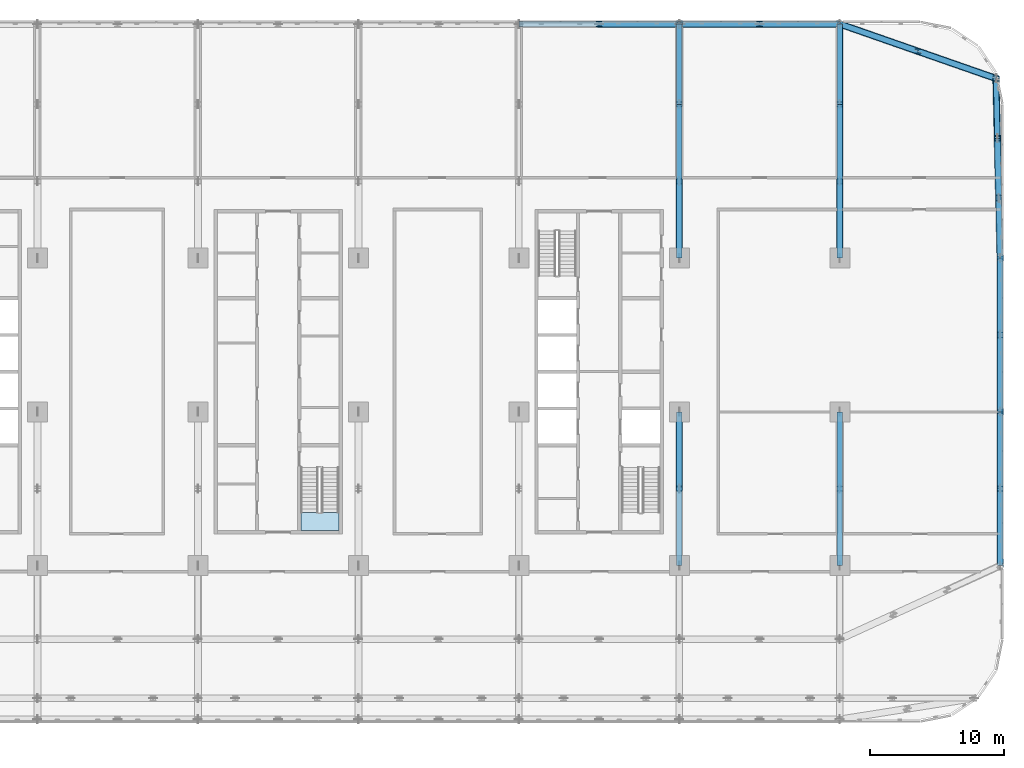
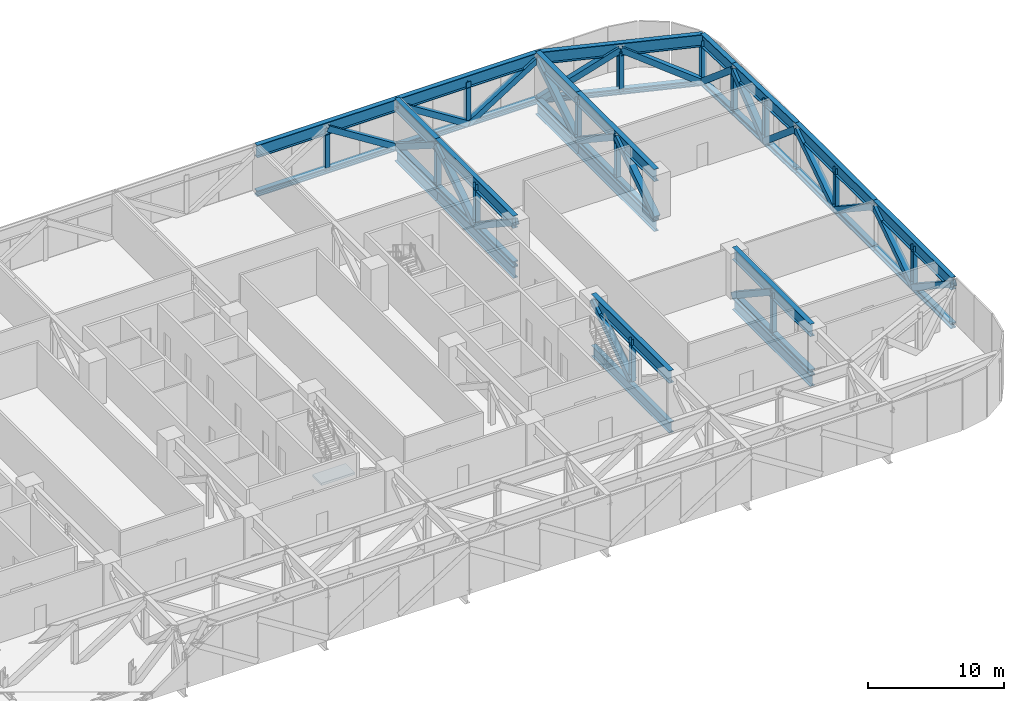
# One storey, part 8 of 26: 60 members, 6 beams, 1 slab, 1 element without a shape of its own.
"""IFC4 building model written with IfcOpenShell, lengths in metres."""

from ifc_helpers import new_model, si_unit, direction, frame, origin, origin_2d, place, context, subcontext, project, spatial, polyline, hollow_rectangle, i_section, outline, extrude, material, layer, layer_set, material_profile, profile_set, type_object, element, aggregate, save


model = new_model("IFC4")

# Units and contexts
model_context = context("Model", 3, precision=1e-05, world=origin(), true_north=direction((0.0, 1.0)))
body_context = subcontext(model_context, "Body", "Model", "MODEL_VIEW")
ifc_project = project(units=[si_unit("LENGTHUNIT", "METRE"), si_unit("AREAUNIT", "SQUARE_METRE"), si_unit("VOLUMEUNIT", "CUBIC_METRE"), si_unit("PLANEANGLEUNIT", "RADIAN"), si_unit("MASSUNIT", "GRAM", prefix="KILO")], contexts=[model_context])

# Site, building, storey
site_placement = place(None, origin())
site = spatial("IfcSite", under=ifc_project, at=site_placement, CompositionType="ELEMENT")
building_placement = place(site_placement, origin())
building = spatial("IfcBuilding", under=site, at=building_placement, Name="Mahtab Terrace Research Tower", CompositionType="ELEMENT")
storey_placement = place(building_placement, frame((0.0, 0.0, 80.39990234375)))
storey = spatial("IfcBuildingStorey", under=building, at=storey_placement, Name="L18", CompositionType="ELEMENT", Elevation=80.39990234375)

# Members
ifc_material_1 = material(Name="Steel ASTM A500 Gr C", Category="steel")
ifc_material_profile_1 = material_profile(ifc_material_1, hollow_rectangle(XDim=0.508056640625, YDim=0.508056640625, WallThickness=0.01904296875, at=origin_2d()), Name="HSS20X20X3/4")
ifc_profile_set_1 = profile_set([ifc_material_profile_1], Name="Steel ASTM A500 Gr C")
member_type_1 = type_object("IfcMemberType", Name="HSS 20x20x3/4 brace TD202034", PredefinedType="BRACE", material=ifc_profile_set_1)
for number, where, z_axis, x_axis, name in (
    (1, (30.0, -5.75, -0.29345703125), (0.0, 0.834630911502, 0.550809623704), (-1.0, 0.0, 0.0), "Transfer truss T2 diagonal 107"),
    (2, (30.0, 17.25, -0.29345703125), (0.0, -0.834630911502, 0.550809623704), (1.0, 0.0, 0.0), "Transfer truss T2 diagonal 108"),
    (3, (30.0, 17.25, -0.29345703125), (0.0, 0.834630911502, 0.550809623704), (-1.0, 0.0, 0.0), "Transfer truss T2 diagonal 109"),
):
    element("IfcMember", number, at=place(storey_placement, frame(where, z_axis=z_axis, x_axis=x_axis)), inside=storey, type_object=member_type_1, Name=name, PredefinedType="BRACE", context=body_context, shape_type="SweptSolid", body=[
        extrude(hollow_rectangle(XDim=0.508056640625, YDim=0.508056640625, WallThickness=0.01904296875, at=origin_2d()), origin(), (0.0, 0.0, 1.0), 6.88916015625),
    ])
for number, where, z_axis, x_axis, name in (
    (4, (30.0, 29.0, -0.29345703125), (0.0, -0.845157783708, 0.534516903978), (1.0, 0.0, 0.0), "Transfer truss T2 diagonal 110"),
    (5, (30.0, 29.0, -0.29345703125), (-0.845157783708, 0.0, 0.534516903978), (0.0, -1.0, 0.0), "Transfer truss T2 diagonal 111"),
    (6, (36.0, 29.0, -0.29345703125), (-0.845157783708, 0.0, 0.534516903978), (0.0, -1.0, 0.0), "Transfer truss T2 diagonal 115"),
):
    element("IfcMember", number, at=place(storey_placement, frame(where, z_axis=z_axis, x_axis=x_axis)), inside=storey, type_object=member_type_1, Name=name, PredefinedType="BRACE", context=body_context, shape_type="SweptSolid", body=[
        extrude(hollow_rectangle(XDim=0.508056640625, YDim=0.508056640625, WallThickness=0.01904296875, at=origin_2d()), origin(), (0.0, 0.0, 1.0), 7.099365234375),
    ])
for number, where, z_axis, x_axis, name in (
    (7, (42.0, 0.0, -0.29345703125), (0.0, -0.834630911502, 0.550809623704), (1.0, 0.0, 0.0), "Transfer truss T2 diagonal 124"),
    (8, (42.0, 11.5, -0.29345703125), (0.0, 0.834630911502, 0.550809623704), (-1.0, 0.0, 0.0), "Transfer truss T2 diagonal 125"),
    (9, (42.0, 23.0, -0.29345703125), (0.0, -0.834630911502, 0.550809623704), (1.0, 0.0, 0.0), "Transfer truss T2 diagonal 126"),
):
    element("IfcMember", number, at=place(storey_placement, frame(where, z_axis=z_axis, x_axis=x_axis)), inside=storey, type_object=member_type_1, Name=name, PredefinedType="BRACE", context=body_context, shape_type="SweptSolid", body=[
        extrude(hollow_rectangle(XDim=0.508056640625, YDim=0.508056640625, WallThickness=0.01904296875, at=origin_2d()), origin(), (0.0, 0.0, 1.0), 6.88916015625),
    ])
for number, where, z_axis, x_axis, name in (
    (10, (42.0, 23.0, -0.29345703125), (0.0, 0.845157783708, 0.534516903978), (-1.0, 0.0, 0.0), "Transfer truss T2 diagonal 127"),
    (11, (36.0, 29.0, -0.29345703125), (0.845157783708, 0.0, 0.534516903978), (0.0, 1.0, 0.0), "Transfer truss T2 diagonal 128"),
):
    element("IfcMember", number, at=place(storey_placement, frame(where, z_axis=z_axis, x_axis=x_axis)), inside=storey, type_object=member_type_1, Name=name, PredefinedType="BRACE", context=body_context, shape_type="SweptSolid", body=[
        extrude(hollow_rectangle(XDim=0.508056640625, YDim=0.508056640625, WallThickness=0.01904296875, at=origin_2d()), origin(), (0.0, 0.0, 1.0), 7.099365234375),
    ])
member_1_placement = place(storey_placement, frame((42.0, 29.0, -0.29345703125), z_axis=(0.804861112796, -0.280700569495, 0.522882185003), x_axis=(0.329304241229, 0.944223870016, 0.0)))
element("IfcMember", 12, at=member_1_placement, inside=storey, type_object=member_type_1, Name="Transfer truss T2 diagonal 132", PredefinedType="BRACE", context=body_context, shape_type="SweptSolid", body=[
    extrude(hollow_rectangle(XDim=0.508056640625, YDim=0.508056640625, WallThickness=0.01904296875, at=origin_2d()), origin(), (0.0, 0.0, 1.0), 7.25732421875),
])
member_2_placement = place(storey_placement, frame((53.681884765625, 24.927001953125, -0.29345703125), z_axis=(-0.804887258521, 0.280553203846, 0.522921027386), x_axis=(-0.329140559735, -0.944280939094, 0.0)))
element("IfcMember", 13, at=member_2_placement, inside=storey, type_object=member_type_1, Name="Transfer truss T2 diagonal 135", PredefinedType="BRACE", context=body_context, shape_type="SweptSolid", body=[
    extrude(hollow_rectangle(XDim=0.508056640625, YDim=0.508056640625, WallThickness=0.01904296875, at=origin_2d()), origin(), (0.0, 0.0, 1.0), 7.256591796875),
])
member_3_placement = place(storey_placement, frame((53.681884765625, 24.927001953125, -0.29345703125), z_axis=(0.018095029325, -0.762653488821, 0.646554116763), x_axis=(0.999718647519, 0.023719734464, 0.0)))
element("IfcMember", 14, at=member_3_placement, inside=storey, type_object=member_type_1, Name="Transfer truss T2 diagonal 136", PredefinedType="BRACE", context=body_context, shape_type="SweptSolid", body=[
    extrude(hollow_rectangle(XDim=0.508056640625, YDim=0.508056640625, WallThickness=0.01904296875, at=origin_2d()), origin(), (0.0, 0.0, 1.0), 5.869140625),
])
member_4_placement = place(storey_placement, frame((53.89404296875, 15.97607421875, -0.29345703125), z_axis=(-0.018056309124, 0.762567027489, 0.646657172146), x_axis=(-0.999719786311, -0.023671688977, 0.0)))
element("IfcMember", 15, at=member_4_placement, inside=storey, type_object=member_type_1, Name="Transfer truss T2 diagonal 137", PredefinedType="BRACE", context=body_context, shape_type="SweptSolid", body=[
    extrude(hollow_rectangle(XDim=0.508056640625, YDim=0.508056640625, WallThickness=0.01904296875, at=origin_2d()), origin(), (0.0, 0.0, 1.0), 5.8681640625),
])
for number, where, z_axis, x_axis, name in (
    (16, (54.0, -5.75, -0.29345703125), (0.0, -0.834630911502, 0.550809623704), (1.0, 0.0, 0.0), "Transfer truss T2 diagonal 138"),
    (17, (54.0, -5.75, -0.29345703125), (0.0, 0.834630911502, 0.550809623704), (-1.0, 0.0, 0.0), "Transfer truss T2 diagonal 139"),
    (18, (54.0, 5.75, -0.29345703125), (0.0, -0.834630911502, 0.550809623704), (1.0, 0.0, 0.0), "Transfer truss T2 diagonal 140"),
    (19, (54.0, 5.75, -0.29345703125), (0.0, 0.834630911502, 0.550809623704), (-1.0, 0.0, 0.0), "Transfer truss T2 diagonal 141"),
):
    element("IfcMember", number, at=place(storey_placement, frame(where, z_axis=z_axis, x_axis=x_axis)), inside=storey, type_object=member_type_1, Name=name, PredefinedType="BRACE", context=body_context, shape_type="SweptSolid", body=[
        extrude(hollow_rectangle(XDim=0.508056640625, YDim=0.508056640625, WallThickness=0.01904296875, at=origin_2d()), origin(), (0.0, 0.0, 1.0), 6.88916015625),
    ])
member_5_placement = place(storey_placement, frame((53.89404296875, 15.97607421875, -0.29345703125), z_axis=(0.018053445129, -0.76265406222, 0.646554602874), x_axis=(0.999719939064, 0.023665236912, 0.0)))
element("IfcMember", 20, at=member_5_placement, inside=storey, type_object=member_type_1, Name="Transfer truss T2 diagonal 142", PredefinedType="BRACE", context=body_context, shape_type="SweptSolid", body=[
    extrude(hollow_rectangle(XDim=0.508056640625, YDim=0.508056640625, WallThickness=0.01904296875, at=origin_2d()), origin(), (0.0, 0.0, 1.0), 5.869140625),
])
ifc_material_2 = material(Name="Steel ASTM A992 Gr 50", Category="steel")
ifc_material_profile_2 = material_profile(ifc_material_2, i_section(OverallWidth=0.398681640625, OverallDepth=0.393798828125, WebThickness=0.022705078125, FlangeThickness=0.03662109375, at=origin_2d()), Name="W14X193")
ifc_profile_set_2 = profile_set([ifc_material_profile_2], Name="Steel ASTM A992 Gr 50")
member_type_2 = type_object("IfcMemberType", Name="W14x193 post TP14193", PredefinedType="POST", material=ifc_profile_set_2)
for number, where, z_axis, x_axis, name in (
    (21, (24.0, 29.0, -0.29345703125), (0.0, 0.0, 1.0), (1.0, 0.0, 0.0), "Transfer truss T2 post 088"),
    (22, (30.0, -5.75, -0.29345703125), (0.0, 0.0, 1.0), (1.0, 0.0, 0.0), "Transfer truss T2 post 094"),
    (23, (30.0, 17.25, -0.29345703125), (0.0, 0.0, 1.0), (1.0, 0.0, 0.0), "Transfer truss T2 post 097"),
    (24, (30.0, 23.0, -0.29345703125), (0.0, 0.0, 1.0), (1.0, 0.0, 0.0), "Transfer truss T2 post 098"),
    (25, (36.0, 29.0, -0.29345703125), (0.0, 0.0, 1.0), (1.0, 0.0, 0.0), "Transfer truss T2 post 103"),
    (26, (42.0, -5.75, -0.29345703125), (0.0, 0.0, 1.0), (1.0, 0.0, 0.0), "Transfer truss T2 post 109"),
    (27, (42.0, 17.25, -0.29345703125), (0.0, 0.0, 1.0), (1.0, 0.0, 0.0), "Transfer truss T2 post 112"),
    (28, (42.0, 23.0, -0.29345703125), (0.0, 0.0, 1.0), (1.0, 0.0, 0.0), "Transfer truss T2 post 113"),
    (29, (47.840087890625, 26.9599609375, -0.29345703125), (0.0, 0.0, 1.0), (1.0, 0.0, 0.0), "Transfer truss T2 post 118"),
    (30, (53.679931640625, 24.929931640625, -0.29345703125), (0.0, 0.0, 1.0), (1.0, 0.0, 0.0), "Transfer truss T2 post 121"),
    (31, (53.7900390625, 20.449951171875, -0.29345703125), (0.0, 0.0, 1.0), (1.0, 0.0, 0.0), "Transfer truss T2 post 122"),
    (32, (53.889892578125, 15.97998046875, -0.29345703125), (0.0, 0.0, 1.0), (1.0, 0.0, 0.0), "Transfer truss T2 post 123"),
    (33, (54.0, -5.75, -0.29345703125), (0.0, 0.0, 1.0), (1.0, 0.0, 0.0), "Transfer truss T2 post 125"),
    (34, (54.0, 5.75, -0.29345703125), (0.0, 0.0, 1.0), (1.0, 0.0, 0.0), "Transfer truss T2 post 127"),
):
    element("IfcMember", number, at=place(storey_placement, frame(where, z_axis=z_axis, x_axis=x_axis)), inside=storey, type_object=member_type_2, Name=name, PredefinedType="POST", context=body_context, shape_type="SweptSolid", body=[
        extrude(i_section(OverallWidth=0.398681640625, OverallDepth=0.393798828125, WebThickness=0.022705078125, FlangeThickness=0.03662109375, at=origin_2d()), origin(), (0.0, 0.0, 1.0), 3.794677734375),
    ])
ifc_material_profile_3 = material_profile(ifc_material_2, i_section(OverallWidth=0.43701171875, OverallDepth=0.51318359375, WebThickness=0.060546875, FlangeThickness=0.096923828125, at=origin_2d()), Name="W14X550")
ifc_profile_set_3 = profile_set([ifc_material_profile_3], Name="Steel ASTM A992 Gr 50")
member_type_3 = type_object("IfcMemberType", Name="W14x550 chord TC14550", PredefinedType="CHORD", material=ifc_profile_set_3)
for number, where, z_axis, x_axis, name in (
    (35, (42.0, 29.0, -0.29345703125), (-1.0, 0.0, 0.0), (0.0, -1.0, 0.0), "Transfer truss T2 bottom chord 035"),
    (36, (30.0, 29.0, -0.29345703125), (-1.0, 0.0, 0.0), (0.0, -1.0, 0.0), "Transfer truss T2 bottom chord 036"),
):
    element("IfcMember", number, at=place(storey_placement, frame(where, z_axis=z_axis, x_axis=x_axis)), inside=storey, type_object=member_type_3, Name=name, PredefinedType="CHORD", context=body_context, shape_type="SweptSolid", body=[
        extrude(i_section(OverallWidth=0.43701171875, OverallDepth=0.51318359375, WebThickness=0.060546875, FlangeThickness=0.096923828125, at=origin_2d()), origin(), (0.0, 0.0, 1.0), 12.0),
    ])
member_6_placement = place(storey_placement, frame((30.0, 11.5, -0.29345703125), z_axis=(0.0, 1.0, 0.0), x_axis=(-1.0, 0.0, 0.0)))
element("IfcMember", 37, at=member_6_placement, inside=storey, type_object=member_type_3, Name="Transfer truss T2 bottom chord 064", PredefinedType="CHORD", context=body_context, shape_type="SweptSolid", body=[
    extrude(i_section(OverallWidth=0.43701171875, OverallDepth=0.51318359375, WebThickness=0.060546875, FlangeThickness=0.096923828125, at=origin_2d()), origin(), (0.0, 0.0, 1.0), 11.5),
])
member_7_placement = place(storey_placement, frame((30.0, 23.0, -0.29345703125), z_axis=(0.0, 1.0, 0.0), x_axis=(-1.0, 0.0, 0.0)))
element("IfcMember", 38, at=member_7_placement, inside=storey, type_object=member_type_3, Name="Transfer truss T2 bottom chord 065", PredefinedType="CHORD", context=body_context, shape_type="SweptSolid", body=[
    extrude(i_section(OverallWidth=0.43701171875, OverallDepth=0.51318359375, WebThickness=0.060546875, FlangeThickness=0.096923828125, at=origin_2d()), origin(), (0.0, 0.0, 1.0), 6.0),
])
for number, where, z_axis, x_axis, name in (
    (39, (42.0, -11.5, -0.29345703125), (0.0, 1.0, 0.0), (-1.0, 0.0, 0.0), "Transfer truss T2 bottom chord 068"),
    (40, (42.0, 11.5, -0.29345703125), (0.0, 1.0, 0.0), (-1.0, 0.0, 0.0), "Transfer truss T2 bottom chord 072"),
):
    element("IfcMember", number, at=place(storey_placement, frame(where, z_axis=z_axis, x_axis=x_axis)), inside=storey, type_object=member_type_3, Name=name, PredefinedType="CHORD", context=body_context, shape_type="SweptSolid", body=[
        extrude(i_section(OverallWidth=0.43701171875, OverallDepth=0.51318359375, WebThickness=0.060546875, FlangeThickness=0.096923828125, at=origin_2d()), origin(), (0.0, 0.0, 1.0), 11.5),
    ])
member_8_placement = place(storey_placement, frame((42.0, 23.0, -0.29345703125), z_axis=(0.0, 1.0, 0.0), x_axis=(-1.0, 0.0, 0.0)))
element("IfcMember", 41, at=member_8_placement, inside=storey, type_object=member_type_3, Name="Transfer truss T2 bottom chord 073", PredefinedType="CHORD", context=body_context, shape_type="SweptSolid", body=[
    extrude(i_section(OverallWidth=0.43701171875, OverallDepth=0.51318359375, WebThickness=0.060546875, FlangeThickness=0.096923828125, at=origin_2d()), origin(), (0.0, 0.0, 1.0), 6.0),
])
member_9_placement = place(storey_placement, frame((53.681884765625, 24.927001953125, -0.29345703125), z_axis=(-0.944280939094, 0.329140559735, 0.0), x_axis=(-0.329140559735, -0.944280939094, 0.0)))
element("IfcMember", 42, at=member_9_placement, inside=storey, type_object=member_type_3, Name="Transfer truss T2 bottom chord 074", PredefinedType="CHORD", context=body_context, shape_type="SweptSolid", body=[
    extrude(i_section(OverallWidth=0.43701171875, OverallDepth=0.51318359375, WebThickness=0.060546875, FlangeThickness=0.096923828125, at=origin_2d()), origin(), (0.0, 0.0, 1.0), 6.185546875),
])
member_10_placement = place(storey_placement, frame((47.841064453125, 26.962890625, -0.29345703125), z_axis=(-0.944223870016, 0.329304241229, 0.0), x_axis=(-0.329304241229, -0.944223870016, 0.0)))
element("IfcMember", 43, at=member_10_placement, inside=storey, type_object=member_type_3, Name="Transfer truss T2 bottom chord 075", PredefinedType="CHORD", context=body_context, shape_type="SweptSolid", body=[
    extrude(i_section(OverallWidth=0.43701171875, OverallDepth=0.51318359375, WebThickness=0.060546875, FlangeThickness=0.096923828125, at=origin_2d()), origin(), (0.0, 0.0, 1.0), 6.18603515625),
])
for number, where, z_axis, x_axis, name in (
    (44, (54.0, -11.5, -0.29345703125), (0.0, 1.0, 0.0), (-1.0, 0.0, 0.0), "Transfer truss T2 bottom chord 076"),
    (45, (54.0, 0.0, -0.29345703125), (0.0, 1.0, 0.0), (-1.0, 0.0, 0.0), "Transfer truss T2 bottom chord 077"),
):
    element("IfcMember", number, at=place(storey_placement, frame(where, z_axis=z_axis, x_axis=x_axis)), inside=storey, type_object=member_type_3, Name=name, PredefinedType="CHORD", context=body_context, shape_type="SweptSolid", body=[
        extrude(i_section(OverallWidth=0.43701171875, OverallDepth=0.51318359375, WebThickness=0.060546875, FlangeThickness=0.096923828125, at=origin_2d()), origin(), (0.0, 0.0, 1.0), 11.5),
    ])
member_11_placement = place(storey_placement, frame((54.0, 11.5, -0.29345703125), z_axis=(-0.023668462505, 0.999719862703, 0.0), x_axis=(-0.999719862703, -0.023668462505, 0.0)))
element("IfcMember", 46, at=member_11_placement, inside=storey, type_object=member_type_3, Name="Transfer truss T2 bottom chord 078", PredefinedType="CHORD", context=body_context, shape_type="SweptSolid", body=[
    extrude(i_section(OverallWidth=0.43701171875, OverallDepth=0.51318359375, WebThickness=0.060546875, FlangeThickness=0.096923828125, at=origin_2d()), origin(), (0.0, 0.0, 1.0), 8.953369140625),
])
member_12_placement = place(storey_placement, frame((53.7880859375, 20.450927734375, -0.29345703125), z_axis=(-0.023719734464, 0.999718647519, 0.0), x_axis=(-0.999718647519, -0.023719734464, 0.0)))
element("IfcMember", 47, at=member_12_placement, inside=storey, type_object=member_type_3, Name="Transfer truss T2 bottom chord 079", PredefinedType="CHORD", context=body_context, shape_type="SweptSolid", body=[
    extrude(i_section(OverallWidth=0.43701171875, OverallDepth=0.51318359375, WebThickness=0.060546875, FlangeThickness=0.096923828125, at=origin_2d()), origin(), (0.0, 0.0, 1.0), 4.477294921875),
])

# Beams
ifc_material_profile_4 = material_profile(ifc_material_2, i_section(OverallWidth=0.4013671875, OverallDepth=1.000732421875, WebThickness=0.01904296875, FlangeThickness=0.0361328125, at=origin_2d()), Name="W40X249")
ifc_profile_set_4 = profile_set([ifc_material_profile_4], Name="Steel ASTM A992 Gr 50")
beam_type = type_object("IfcBeamType", Name="W40x249 transfer girder TG40249", PredefinedType="BEAM", material=ifc_profile_set_4)
beam_1_placement = place(storey_placement, frame((42.0, 11.5, -1.04833984375), z_axis=(0.0, 1.0, 0.0), x_axis=(-1.0, 0.0, 0.0)))
element("IfcBeam", 48, at=beam_1_placement, inside=storey, type_object=beam_type, Name="Transfer girder T2 01", PredefinedType="BEAM", context=body_context, shape_type="SweptSolid", body=[
    extrude(i_section(OverallWidth=0.4013671875, OverallDepth=1.000732421875, WebThickness=0.01904296875, FlangeThickness=0.0361328125, at=origin_2d()), origin(), (0.0, 0.0, 1.0), 11.5),
])
beam_2_placement = place(storey_placement, frame((42.0, 23.0, -1.04833984375), z_axis=(0.0, 1.0, 0.0), x_axis=(-1.0, 0.0, 0.0)))
element("IfcBeam", 49, at=beam_2_placement, inside=storey, type_object=beam_type, Name="Transfer girder T2 02", PredefinedType="BEAM", context=body_context, shape_type="SweptSolid", body=[
    extrude(i_section(OverallWidth=0.4013671875, OverallDepth=1.000732421875, WebThickness=0.01904296875, FlangeThickness=0.0361328125, at=origin_2d()), origin(), (0.0, 0.0, 1.0), 6.0),
])
beam_3_placement = place(storey_placement, frame((30.0, 11.5, -1.04833984375), z_axis=(0.0, 1.0, 0.0), x_axis=(-1.0, 0.0, 0.0)))
element("IfcBeam", 50, at=beam_3_placement, inside=storey, type_object=beam_type, Name="Transfer girder T2 03", PredefinedType="BEAM", context=body_context, shape_type="SweptSolid", body=[
    extrude(i_section(OverallWidth=0.4013671875, OverallDepth=1.000732421875, WebThickness=0.01904296875, FlangeThickness=0.0361328125, at=origin_2d()), origin(), (0.0, 0.0, 1.0), 11.5),
])
beam_4_placement = place(storey_placement, frame((30.0, 23.0, -1.04833984375), z_axis=(0.0, 1.0, 0.0), x_axis=(-1.0, 0.0, 0.0)))
element("IfcBeam", 51, at=beam_4_placement, inside=storey, type_object=beam_type, Name="Transfer girder T2 04", PredefinedType="BEAM", context=body_context, shape_type="SweptSolid", body=[
    extrude(i_section(OverallWidth=0.4013671875, OverallDepth=1.000732421875, WebThickness=0.01904296875, FlangeThickness=0.0361328125, at=origin_2d()), origin(), (0.0, 0.0, 1.0), 6.0),
])
for number, where, z_axis, x_axis, name in (
    (52, (30.0, -11.5, -1.04833984375), (0.0, 1.0, 0.0), (-1.0, 0.0, 0.0), "Transfer girder T2 32"),
    (53, (42.0, -11.5, -1.04833984375), (0.0, 1.0, 0.0), (-1.0, 0.0, 0.0), "Transfer girder T2 35"),
):
    element("IfcBeam", number, at=place(storey_placement, frame(where, z_axis=z_axis, x_axis=x_axis)), inside=storey, type_object=beam_type, Name=name, PredefinedType="BEAM", context=body_context, shape_type="SweptSolid", body=[
        extrude(i_section(OverallWidth=0.4013671875, OverallDepth=1.000732421875, WebThickness=0.01904296875, FlangeThickness=0.0361328125, at=origin_2d()), origin(), (0.0, 0.0, 1.0), 11.5),
    ])

# Members
ifc_material_profile_5 = material_profile(ifc_material_2, i_section(OverallWidth=0.40380859375, OverallDepth=1.11767578125, WebThickness=0.026123046875, FlangeThickness=0.044921875, at=origin_2d()), Name="W44X335")
ifc_profile_set_5 = profile_set([ifc_material_profile_5], Name="Steel ASTM A992 Gr 50")
member_type_4 = type_object("IfcMemberType", Name="W44x335 chord TT44335", PredefinedType="CHORD", material=ifc_profile_set_5)
for number, where, z_axis, x_axis, name in (
    (54, (42.0, 29.0, 3.501220703125), (-1.0, 0.0, 0.0), (0.0, -1.0, 0.0), "Transfer truss T2 top chord 034"),
    (55, (30.0, 29.0, 3.501220703125), (-1.0, 0.0, 0.0), (0.0, -1.0, 0.0), "Transfer truss T2 top chord 035"),
):
    element("IfcMember", number, at=place(storey_placement, frame(where, z_axis=z_axis, x_axis=x_axis)), inside=storey, type_object=member_type_4, Name=name, PredefinedType="CHORD", context=body_context, shape_type="SweptSolid", body=[
        extrude(i_section(OverallWidth=0.40380859375, OverallDepth=1.11767578125, WebThickness=0.026123046875, FlangeThickness=0.044921875, at=origin_2d()), origin(), (0.0, 0.0, 1.0), 12.0),
    ])
for number, where, z_axis, x_axis, name in (
    (56, (30.0, -11.5, 3.501220703125), (0.0, 1.0, 0.0), (-1.0, 0.0, 0.0), "Transfer truss T2 top chord 062"),
    (57, (30.0, 11.5, 3.501220703125), (0.0, 1.0, 0.0), (-1.0, 0.0, 0.0), "Transfer truss T2 top chord 063"),
):
    element("IfcMember", number, at=place(storey_placement, frame(where, z_axis=z_axis, x_axis=x_axis)), inside=storey, type_object=member_type_4, Name=name, PredefinedType="CHORD", context=body_context, shape_type="SweptSolid", body=[
        extrude(i_section(OverallWidth=0.40380859375, OverallDepth=1.11767578125, WebThickness=0.026123046875, FlangeThickness=0.044921875, at=origin_2d()), origin(), (0.0, 0.0, 1.0), 11.5),
    ])
member_13_placement = place(storey_placement, frame((30.0, 23.0, 3.501220703125), z_axis=(0.0, 1.0, 0.0), x_axis=(-1.0, 0.0, 0.0)))
element("IfcMember", 58, at=member_13_placement, inside=storey, type_object=member_type_4, Name="Transfer truss T2 top chord 064", PredefinedType="CHORD", context=body_context, shape_type="SweptSolid", body=[
    extrude(i_section(OverallWidth=0.40380859375, OverallDepth=1.11767578125, WebThickness=0.026123046875, FlangeThickness=0.044921875, at=origin_2d()), origin(), (0.0, 0.0, 1.0), 6.0),
])
for number, where, z_axis, x_axis, name in (
    (59, (42.0, -11.5, 3.501220703125), (0.0, 1.0, 0.0), (-1.0, 0.0, 0.0), "Transfer truss T2 top chord 067"),
    (60, (42.0, 11.5, 3.501220703125), (0.0, 1.0, 0.0), (-1.0, 0.0, 0.0), "Transfer truss T2 top chord 071"),
):
    element("IfcMember", number, at=place(storey_placement, frame(where, z_axis=z_axis, x_axis=x_axis)), inside=storey, type_object=member_type_4, Name=name, PredefinedType="CHORD", context=body_context, shape_type="SweptSolid", body=[
        extrude(i_section(OverallWidth=0.40380859375, OverallDepth=1.11767578125, WebThickness=0.026123046875, FlangeThickness=0.044921875, at=origin_2d()), origin(), (0.0, 0.0, 1.0), 11.5),
    ])
member_14_placement = place(storey_placement, frame((42.0, 23.0, 3.501220703125), z_axis=(0.0, 1.0, 0.0), x_axis=(-1.0, 0.0, 0.0)))
element("IfcMember", 61, at=member_14_placement, inside=storey, type_object=member_type_4, Name="Transfer truss T2 top chord 072", PredefinedType="CHORD", context=body_context, shape_type="SweptSolid", body=[
    extrude(i_section(OverallWidth=0.40380859375, OverallDepth=1.11767578125, WebThickness=0.026123046875, FlangeThickness=0.044921875, at=origin_2d()), origin(), (0.0, 0.0, 1.0), 6.0),
])
member_15_placement = place(storey_placement, frame((53.681884765625, 24.927001953125, 3.501220703125), z_axis=(-0.944252406643, 0.329222405903, 0.0), x_axis=(-0.329222405903, -0.944252406643, 0.0)))
element("IfcMember", 62, at=member_15_placement, inside=storey, type_object=member_type_4, Name="Transfer truss T2 top chord 073", PredefinedType="CHORD", context=body_context, shape_type="SweptSolid", body=[
    extrude(i_section(OverallWidth=0.40380859375, OverallDepth=1.11767578125, WebThickness=0.026123046875, FlangeThickness=0.044921875, at=origin_2d()), origin(), (0.0, 0.0, 1.0), 12.37158203125),
])
for number, where, z_axis, x_axis, name in (
    (63, (54.0, -11.5, 3.501220703125), (0.0, 1.0, 0.0), (-1.0, 0.0, 0.0), "Transfer truss T2 top chord 074"),
    (64, (54.0, 0.0, 3.501220703125), (0.0, 1.0, 0.0), (-1.0, 0.0, 0.0), "Transfer truss T2 top chord 075"),
):
    element("IfcMember", number, at=place(storey_placement, frame(where, z_axis=z_axis, x_axis=x_axis)), inside=storey, type_object=member_type_4, Name=name, PredefinedType="CHORD", context=body_context, shape_type="SweptSolid", body=[
        extrude(i_section(OverallWidth=0.40380859375, OverallDepth=1.11767578125, WebThickness=0.026123046875, FlangeThickness=0.044921875, at=origin_2d()), origin(), (0.0, 0.0, 1.0), 11.5),
    ])
member_16_placement = place(storey_placement, frame((54.0, 11.5, 3.501220703125), z_axis=(-0.023668462505, 0.999719862703, 0.0), x_axis=(-0.999719862703, -0.023668462505, 0.0)))
element("IfcMember", 65, at=member_16_placement, inside=storey, type_object=member_type_4, Name="Transfer truss T2 top chord 076", PredefinedType="CHORD", context=body_context, shape_type="SweptSolid", body=[
    extrude(i_section(OverallWidth=0.40380859375, OverallDepth=1.11767578125, WebThickness=0.026123046875, FlangeThickness=0.044921875, at=origin_2d()), origin(), (0.0, 0.0, 1.0), 8.953369140625),
])
member_17_placement = place(storey_placement, frame((53.7880859375, 20.450927734375, 3.501220703125), z_axis=(-0.023719734464, 0.999718647519, 0.0), x_axis=(-0.999718647519, -0.023719734464, 0.0)))
element("IfcMember", 66, at=member_17_placement, inside=storey, type_object=member_type_4, Name="Transfer truss T2 top chord 077", PredefinedType="CHORD", context=body_context, shape_type="SweptSolid", body=[
    extrude(i_section(OverallWidth=0.40380859375, OverallDepth=1.11767578125, WebThickness=0.026123046875, FlangeThickness=0.044921875, at=origin_2d()), origin(), (0.0, 0.0, 1.0), 4.477294921875),
])

# Stair, slab
ifc_material_3 = material(Name="Exit stair half-turn")
stair_type = type_object("IfcStairType", Name="Exit stair half-turn", PredefinedType="HALF_TURN_STAIR", material=ifc_material_3)
stair_placement = place(storey_placement, origin())
stair = element("IfcStair", 67, at=stair_placement, inside=storey, type_object=stair_type, Name="L18 Protected exit stair ST2", PredefinedType="HALF_TURN_STAIR")
ifc_material_4 = material(Name="Concrete C40/50", Category="concrete")
ifc_layer = layer(ifc_material_4, 0.199951171875)
ifc_layer_set = layer_set([ifc_layer], Name="Exit stair landing 200")
slab_type = type_object("IfcSlabType", Name="Exit stair landing 200", PredefinedType="LANDING", material=ifc_layer_set)
slab_placement = place(storey_placement, frame((0.0, 0.0, 2.0)))
slab = element("IfcSlab", 68, at=slab_placement, type_object=slab_type, Name="ST2 landing 1", PredefinedType="LANDING", context=body_context, shape_type="SweptSolid", body=[
    extrude(outline(polyline([(1.699951171875, -7.534912109375), (1.699951171875, -8.875), (4.550048828125, -8.875), (4.550048828125, -7.534912109375), (1.699951171875, -7.534912109375)])), origin(), (0.0, 0.0, 1.0), 0.2001953125),
])
aggregate(stair, [slab])

save(model, "model.ifc")
